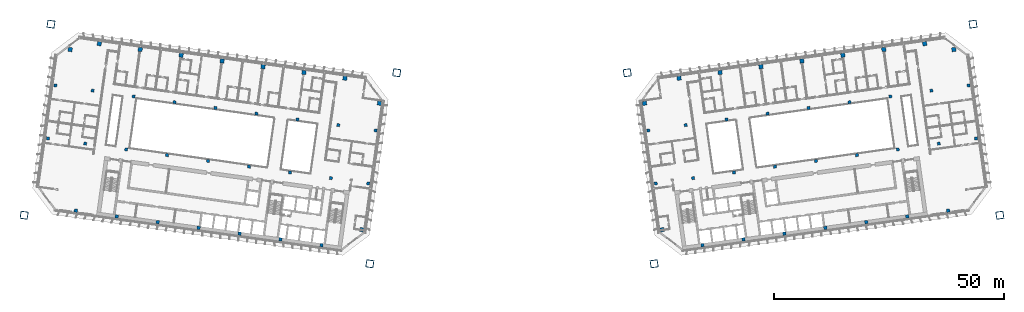
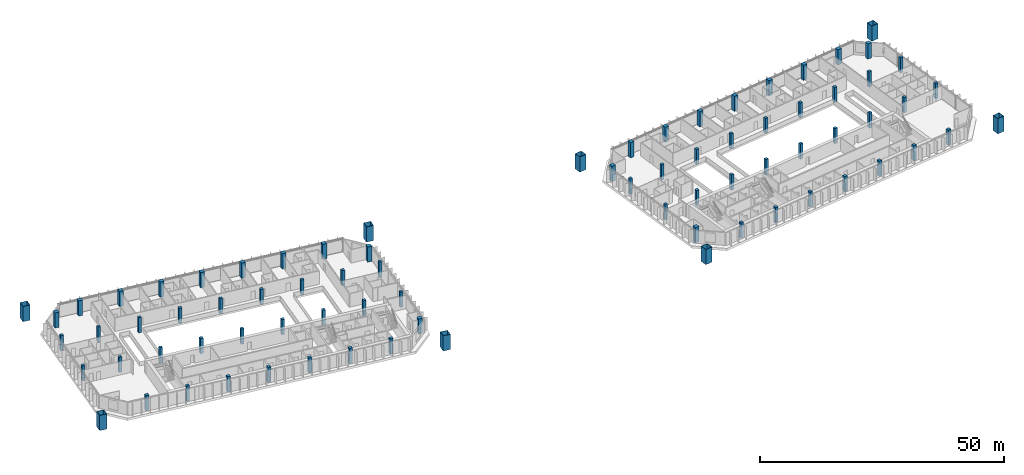
# One storey, part 1 of 26: 78 columns.
"""IFC4 building model written with IfcOpenShell, lengths in metres."""

from ifc_helpers import new_model, si_unit, direction, frame, origin, origin_2d, place, context, subcontext, project, spatial, rectangle, hollow_rectangle, extrude, material, material_profile, profile_set, type_object, element, save


model = new_model("IFC4")

# Units and contexts
model_context = context("Model", 3, precision=1e-05, world=origin(), true_north=direction((0.0, 1.0)))
body_context = subcontext(model_context, "Body", "Model", "MODEL_VIEW")
ifc_project = project(units=[si_unit("LENGTHUNIT", "METRE"), si_unit("AREAUNIT", "SQUARE_METRE"), si_unit("VOLUMEUNIT", "CUBIC_METRE"), si_unit("PLANEANGLEUNIT", "RADIAN"), si_unit("MASSUNIT", "GRAM", prefix="KILO")], contexts=[model_context])

# Site, building, storey
site_placement = place(None, origin())
site = spatial("IfcSite", under=ifc_project, at=site_placement, CompositionType="ELEMENT")
building_placement = place(site_placement, origin())
building = spatial("IfcBuilding", under=site, at=building_placement, Name="Mirante Cascada Hotel Towers", CompositionType="ELEMENT")
storey_placement = place(building_placement, frame((0.0, 0.0, 106.3)))
storey = spatial("IfcBuildingStorey", under=building, at=storey_placement, Name="L23", CompositionType="ELEMENT", Elevation=106.3)

# Columns
ifc_material_1 = material(Name="Steel ASTM A572 Gr 50", Category="steel")
ifc_material_profile_1 = material_profile(ifc_material_1, hollow_rectangle(XDim=1.6, YDim=1.6, WallThickness=0.07, at=origin_2d()), Name="Box column 1600x1600x70 ASTM A572 Gr 50")
ifc_profile_set_1 = profile_set([ifc_material_profile_1], Name="Steel ASTM A572 Gr 50")
column_type_1 = type_object("IfcColumnType", Name="Box column 1600x1600x70 ASTM A572 Gr 50", PredefinedType="COLUMN", material=ifc_profile_set_1)
for number, where, z_axis, x_axis, name in (
    (1, (-25.0968, 18.5173, 0.0), (0.0, 0.0, 1.0), (-0.9902681, 0.1391731, 0.0), "Mega column MC1 T1 L23"),
    (2, (-30.9421, -23.074, 0.0), (0.0, 0.0, 1.0), (-0.9902681, 0.1391731, 0.0), "Mega column MC2 T1 L23"),
    (3, (-100.3572, 29.0944, 0.0), (0.0, 0.0, 1.0), (-0.9902681, 0.1391731, 0.0), "Mega column MC3 T1 L23"),
    (4, (-106.2025, -12.4968, 0.0), (0.0, 0.0, 1.0), (-0.9902681, 0.1391731, 0.0), "Mega column MC4 T1 L23"),
    (5, (25.0968, 18.5173, 0.0), (0.0, 0.0, 1.0), (0.9902681, 0.1391731, 0.0), "Mega column MC1 T2 L23"),
    (6, (30.9421, -23.074, 0.0), (0.0, 0.0, 1.0), (0.9902681, 0.1391731, 0.0), "Mega column MC2 T2 L23"),
    (7, (100.3572, 29.0944, 0.0), (0.0, 0.0, 1.0), (0.9902681, 0.1391731, 0.0), "Mega column MC3 T2 L23"),
    (8, (106.2025, -12.4968, 0.0), (0.0, 0.0, 1.0), (0.9902681, 0.1391731, 0.0), "Mega column MC4 T2 L23"),
):
    element("IfcColumn", number, at=place(storey_placement, frame(where, z_axis=z_axis, x_axis=x_axis)), inside=storey, type_object=column_type_1, Name=name, PredefinedType="COLUMN", context=body_context, shape_type="SweptSolid", body=[
        extrude(hollow_rectangle(XDim=1.6, YDim=1.6, WallThickness=0.07, at=origin_2d()), origin(), (0.0, 0.0, 1.0), 3.8),
    ])
ifc_material_2 = material(Name="Concrete C60/75", Category="concrete")
ifc_material_profile_2 = material_profile(ifc_material_2, rectangle(XDim=0.65, YDim=0.65, at=origin_2d()), Name="RC column 650x650 C60/75")
ifc_profile_set_2 = profile_set([ifc_material_profile_2], Name="Concrete C60/75")
column_type_2 = type_object("IfcColumnType", Name="RC column 650x650 C60/75", PredefinedType="COLUMN", material=ifc_profile_set_2)
for number, where, z_axis, x_axis, name in (
    (9, (-29.6893, 5.9592, 0.0), (0.0, 0.0, 1.0), (-0.9902681, 0.1391731, 0.0), "Column T1 L23 2"),
    (10, (-31.3106, -5.5774, 0.0), (0.0, 0.0, 1.0), (-0.9902681, 0.1391731, 0.0), "Column T1 L23 3"),
    (11, (-37.8095, 7.1004, 0.0), (0.0, 0.0, 1.0), (-0.9902681, 0.1391731, 0.0), "Column T1 L23 6"),
    (12, (-39.4308, -4.4362, 0.0), (0.0, 0.0, 1.0), (-0.9902681, 0.1391731, 0.0), "Column T1 L23 7"),
    (13, (-46.7219, 8.353, 0.0), (0.0, 0.0, 1.0), (-0.9902681, 0.1391731, 0.0), "Column T1 L23 10"),
    (14, (-48.3432, -3.1836, 0.0), (0.0, 0.0, 1.0), (-0.9902681, 0.1391731, 0.0), "Column T1 L23 11"),
    (15, (-55.6343, 9.6055, 0.0), (0.0, 0.0, 1.0), (-0.9902681, 0.1391731, 0.0), "Column T1 L23 14"),
    (16, (-57.2557, -1.9311, 0.0), (0.0, 0.0, 1.0), (-0.9902681, 0.1391731, 0.0), "Column T1 L23 15"),
    (17, (-64.5467, 10.8581, 0.0), (0.0, 0.0, 1.0), (-0.9902681, 0.1391731, 0.0), "Column T1 L23 18"),
    (18, (-66.1681, -0.6785, 0.0), (0.0, 0.0, 1.0), (-0.9902681, 0.1391731, 0.0), "Column T1 L23 19"),
    (19, (-73.4591, 12.1107, 0.0), (0.0, 0.0, 1.0), (-0.9902681, 0.1391731, 0.0), "Column T1 L23 22"),
    (20, (-75.0805, 0.574, 0.0), (0.0, 0.0, 1.0), (-0.9902681, 0.1391731, 0.0), "Column T1 L23 23"),
    (21, (-82.3715, 13.3632, 0.0), (0.0, 0.0, 1.0), (-0.9902681, 0.1391731, 0.0), "Column T1 L23 26"),
    (22, (-83.9929, 1.8266, 0.0), (0.0, 0.0, 1.0), (-0.9902681, 0.1391731, 0.0), "Column T1 L23 27"),
    (23, (-91.2839, 14.6158, 0.0), (0.0, 0.0, 1.0), (-0.9902681, 0.1391731, 0.0), "Column T1 L23 30"),
    (24, (-92.9053, 3.0792, 0.0), (0.0, 0.0, 1.0), (-0.9902681, 0.1391731, 0.0), "Column T1 L23 31"),
    (25, (-99.4041, 15.757, 0.0), (0.0, 0.0, 1.0), (-0.9902681, 0.1391731, 0.0), "Column T1 L23 34"),
    (26, (-101.0255, 4.2204, 0.0), (0.0, 0.0, 1.0), (-0.9902681, 0.1391731, 0.0), "Column T1 L23 35"),
    (27, (29.6893, 5.9592, 0.0), (0.0, 0.0, 1.0), (0.9902681, 0.1391731, 0.0), "Column T2 L23 2"),
    (28, (31.3106, -5.5774, 0.0), (0.0, 0.0, 1.0), (0.9902681, 0.1391731, 0.0), "Column T2 L23 3"),
    (29, (37.8095, 7.1004, 0.0), (0.0, 0.0, 1.0), (0.9902681, 0.1391731, 0.0), "Column T2 L23 6"),
    (30, (39.4308, -4.4362, 0.0), (0.0, 0.0, 1.0), (0.9902681, 0.1391731, 0.0), "Column T2 L23 7"),
    (31, (46.7219, 8.353, 0.0), (0.0, 0.0, 1.0), (0.9902681, 0.1391731, 0.0), "Column T2 L23 10"),
    (32, (48.3432, -3.1836, 0.0), (0.0, 0.0, 1.0), (0.9902681, 0.1391731, 0.0), "Column T2 L23 11"),
    (33, (55.6343, 9.6055, 0.0), (0.0, 0.0, 1.0), (0.9902681, 0.1391731, 0.0), "Column T2 L23 14"),
    (34, (57.2557, -1.9311, 0.0), (0.0, 0.0, 1.0), (0.9902681, 0.1391731, 0.0), "Column T2 L23 15"),
    (35, (64.5467, 10.8581, 0.0), (0.0, 0.0, 1.0), (0.9902681, 0.1391731, 0.0), "Column T2 L23 18"),
    (36, (66.1681, -0.6785, 0.0), (0.0, 0.0, 1.0), (0.9902681, 0.1391731, 0.0), "Column T2 L23 19"),
    (37, (73.4591, 12.1107, 0.0), (0.0, 0.0, 1.0), (0.9902681, 0.1391731, 0.0), "Column T2 L23 22"),
    (38, (75.0805, 0.574, 0.0), (0.0, 0.0, 1.0), (0.9902681, 0.1391731, 0.0), "Column T2 L23 23"),
    (39, (82.3715, 13.3632, 0.0), (0.0, 0.0, 1.0), (0.9902681, 0.1391731, 0.0), "Column T2 L23 26"),
    (40, (83.9929, 1.8266, 0.0), (0.0, 0.0, 1.0), (0.9902681, 0.1391731, 0.0), "Column T2 L23 27"),
    (41, (91.2839, 14.6158, 0.0), (0.0, 0.0, 1.0), (0.9902681, 0.1391731, 0.0), "Column T2 L23 30"),
    (42, (92.9053, 3.0792, 0.0), (0.0, 0.0, 1.0), (0.9902681, 0.1391731, 0.0), "Column T2 L23 31"),
    (43, (99.4041, 15.757, 0.0), (0.0, 0.0, 1.0), (0.9902681, 0.1391731, 0.0), "Column T2 L23 34"),
    (44, (101.0255, 4.2204, 0.0), (0.0, 0.0, 1.0), (0.9902681, 0.1391731, 0.0), "Column T2 L23 35"),
):
    element("IfcColumn", number, at=place(storey_placement, frame(where, z_axis=z_axis, x_axis=x_axis)), inside=storey, type_object=column_type_2, Name=name, PredefinedType="COLUMN", context=body_context, shape_type="SweptSolid", body=[
        extrude(rectangle(XDim=0.65, YDim=0.65, at=origin_2d()), origin(), (0.0, 0.0, 1.0), 3.8),
    ])
ifc_material_3 = material(Name="Concrete C60/75", Category="concrete")
ifc_material_profile_3 = material_profile(ifc_material_3, rectangle(XDim=0.7, YDim=0.7, at=origin_2d()), Name="RC column 700x700 C60/75")
ifc_profile_set_3 = profile_set([ifc_material_profile_3], Name="Concrete C60/75")
column_type_3 = type_object("IfcColumnType", Name="RC column 700x700 C60/75", PredefinedType="COLUMN", material=ifc_profile_set_3)
for number, where, z_axis, x_axis, name in (
    (45, (-41.4802, -19.0179, 0.0), (0.0, 0.0, 1.0), (-0.9902681, 0.1391731, 0.0), "Column T1 L23 8"),
    (46, (-50.3926, -17.7653, 0.0), (0.0, 0.0, 1.0), (-0.9902681, 0.1391731, 0.0), "Column T1 L23 12"),
    (47, (-59.305, -16.5128, 0.0), (0.0, 0.0, 1.0), (-0.9902681, 0.1391731, 0.0), "Column T1 L23 16"),
    (48, (-68.2174, -15.2602, 0.0), (0.0, 0.0, 1.0), (-0.9902681, 0.1391731, 0.0), "Column T1 L23 20"),
    (49, (-77.1298, -14.0077, 0.0), (0.0, 0.0, 1.0), (-0.9902681, 0.1391731, 0.0), "Column T1 L23 24"),
    (50, (-86.0422, -12.7551, 0.0), (0.0, 0.0, 1.0), (-0.9902681, 0.1391731, 0.0), "Column T1 L23 28"),
    (51, (-94.9546, -11.5025, 0.0), (0.0, 0.0, 1.0), (-0.9902681, 0.1391731, 0.0), "Column T1 L23 32"),
    (52, (41.4802, -19.0179, 0.0), (0.0, 0.0, 1.0), (0.9902681, 0.1391731, 0.0), "Column T2 L23 8"),
    (53, (50.3926, -17.7653, 0.0), (0.0, 0.0, 1.0), (0.9902681, 0.1391731, 0.0), "Column T2 L23 12"),
    (54, (59.305, -16.5128, 0.0), (0.0, 0.0, 1.0), (0.9902681, 0.1391731, 0.0), "Column T2 L23 16"),
    (55, (68.2174, -15.2602, 0.0), (0.0, 0.0, 1.0), (0.9902681, 0.1391731, 0.0), "Column T2 L23 20"),
    (56, (77.1298, -14.0077, 0.0), (0.0, 0.0, 1.0), (0.9902681, 0.1391731, 0.0), "Column T2 L23 24"),
    (57, (86.0422, -12.7551, 0.0), (0.0, 0.0, 1.0), (0.9902681, 0.1391731, 0.0), "Column T2 L23 28"),
    (58, (94.9546, -11.5025, 0.0), (0.0, 0.0, 1.0), (0.9902681, 0.1391731, 0.0), "Column T2 L23 32"),
):
    element("IfcColumn", number, at=place(storey_placement, frame(where, z_axis=z_axis, x_axis=x_axis)), inside=storey, type_object=column_type_3, Name=name, PredefinedType="COLUMN", context=body_context, shape_type="SweptSolid", body=[
        extrude(rectangle(XDim=0.7, YDim=0.7, at=origin_2d()), origin(), (0.0, 0.0, 1.0), 3.8),
    ])
ifc_material_4 = material(Name="Concrete C60/75", Category="concrete")
ifc_material_profile_4 = material_profile(ifc_material_4, rectangle(XDim=0.9, YDim=0.9, at=origin_2d()), Name="RC column 900x900 C60/75")
ifc_profile_set_4 = profile_set([ifc_material_profile_4], Name="Concrete C60/75")
column_type_4 = type_object("IfcColumnType", Name="RC column 900x900 C60/75", PredefinedType="COLUMN", material=ifc_profile_set_4)
for number, where, z_axis, x_axis, name in (
    (59, (-28.8577, 11.8761, 0.0), (0.0, 0.0, 1.0), (-0.9902681, 0.1391731, 0.0), "Column T1 L23 1"),
    (60, (-32.7267, -15.6534, 0.0), (0.0, 0.0, 1.0), (-0.9902681, 0.1391731, 0.0), "Column T1 L23 4"),
    (61, (-36.3725, 17.325, 0.0), (0.0, 0.0, 1.0), (-0.9902681, 0.1391731, 0.0), "Column T1 L23 5"),
    (62, (-45.2849, 18.5775, 0.0), (0.0, 0.0, 1.0), (-0.9902681, 0.1391731, 0.0), "Column T1 L23 9"),
    (63, (-54.1973, 19.8301, 0.0), (0.0, 0.0, 1.0), (-0.9902681, 0.1391731, 0.0), "Column T1 L23 13"),
    (64, (-63.1097, 21.0826, 0.0), (0.0, 0.0, 1.0), (-0.9902681, 0.1391731, 0.0), "Column T1 L23 17"),
    (65, (-72.0222, 22.3352, 0.0), (0.0, 0.0, 1.0), (-0.9902681, 0.1391731, 0.0), "Column T1 L23 21"),
    (66, (-80.9346, 23.5877, 0.0), (0.0, 0.0, 1.0), (-0.9902681, 0.1391731, 0.0), "Column T1 L23 25"),
    (67, (-89.847, 24.8403, 0.0), (0.0, 0.0, 1.0), (-0.9902681, 0.1391731, 0.0), "Column T1 L23 29"),
    (68, (-96.1868, 23.5602, 0.0), (0.0, 0.0, 1.0), (-0.9902681, 0.1391731, 0.0), "Column T1 L23 33"),
    (69, (28.8577, 11.8761, 0.0), (0.0, 0.0, 1.0), (0.9902681, 0.1391731, 0.0), "Column T2 L23 1"),
    (70, (32.7267, -15.6534, 0.0), (0.0, 0.0, 1.0), (0.9902681, 0.1391731, 0.0), "Column T2 L23 4"),
    (71, (36.3725, 17.325, 0.0), (0.0, 0.0, 1.0), (0.9902681, 0.1391731, 0.0), "Column T2 L23 5"),
    (72, (45.2849, 18.5775, 0.0), (0.0, 0.0, 1.0), (0.9902681, 0.1391731, 0.0), "Column T2 L23 9"),
    (73, (54.1973, 19.8301, 0.0), (0.0, 0.0, 1.0), (0.9902681, 0.1391731, 0.0), "Column T2 L23 13"),
    (74, (63.1097, 21.0826, 0.0), (0.0, 0.0, 1.0), (0.9902681, 0.1391731, 0.0), "Column T2 L23 17"),
    (75, (72.0222, 22.3352, 0.0), (0.0, 0.0, 1.0), (0.9902681, 0.1391731, 0.0), "Column T2 L23 21"),
    (76, (80.9346, 23.5877, 0.0), (0.0, 0.0, 1.0), (0.9902681, 0.1391731, 0.0), "Column T2 L23 25"),
    (77, (89.847, 24.8403, 0.0), (0.0, 0.0, 1.0), (0.9902681, 0.1391731, 0.0), "Column T2 L23 29"),
    (78, (96.1868, 23.5602, 0.0), (0.0, 0.0, 1.0), (0.9902681, 0.1391731, 0.0), "Column T2 L23 33"),
):
    element("IfcColumn", number, at=place(storey_placement, frame(where, z_axis=z_axis, x_axis=x_axis)), inside=storey, type_object=column_type_4, Name=name, PredefinedType="COLUMN", context=body_context, shape_type="SweptSolid", body=[
        extrude(rectangle(XDim=0.9, YDim=0.9, at=origin_2d()), origin(), (0.0, 0.0, 1.0), 3.8),
    ])

save(model, "model.ifc")
